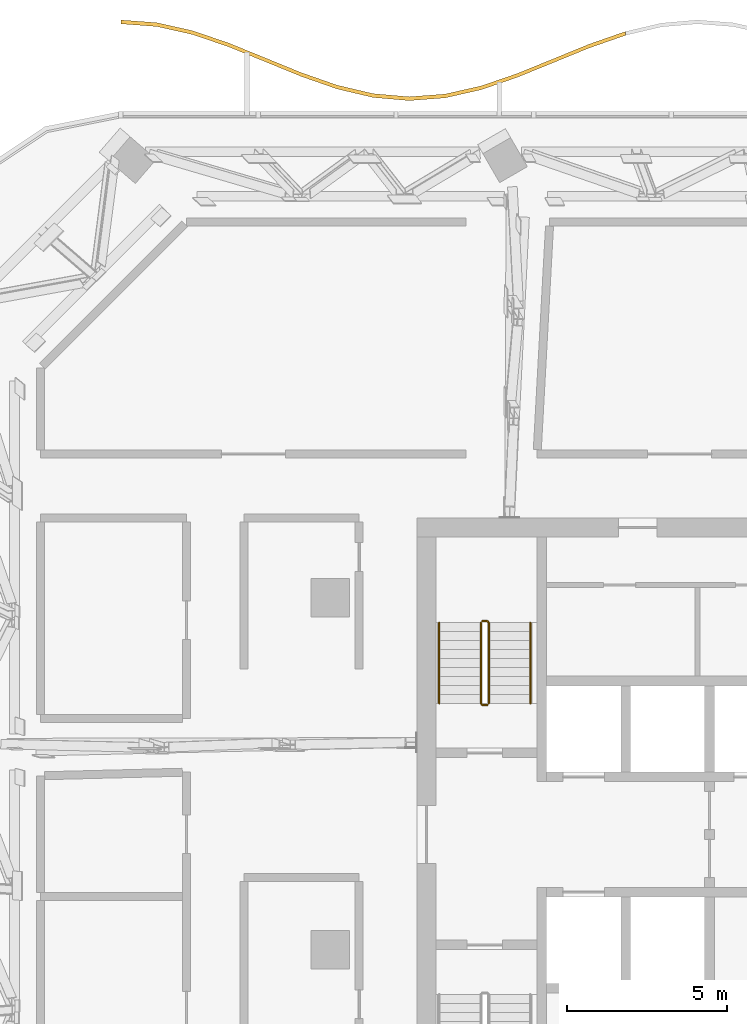
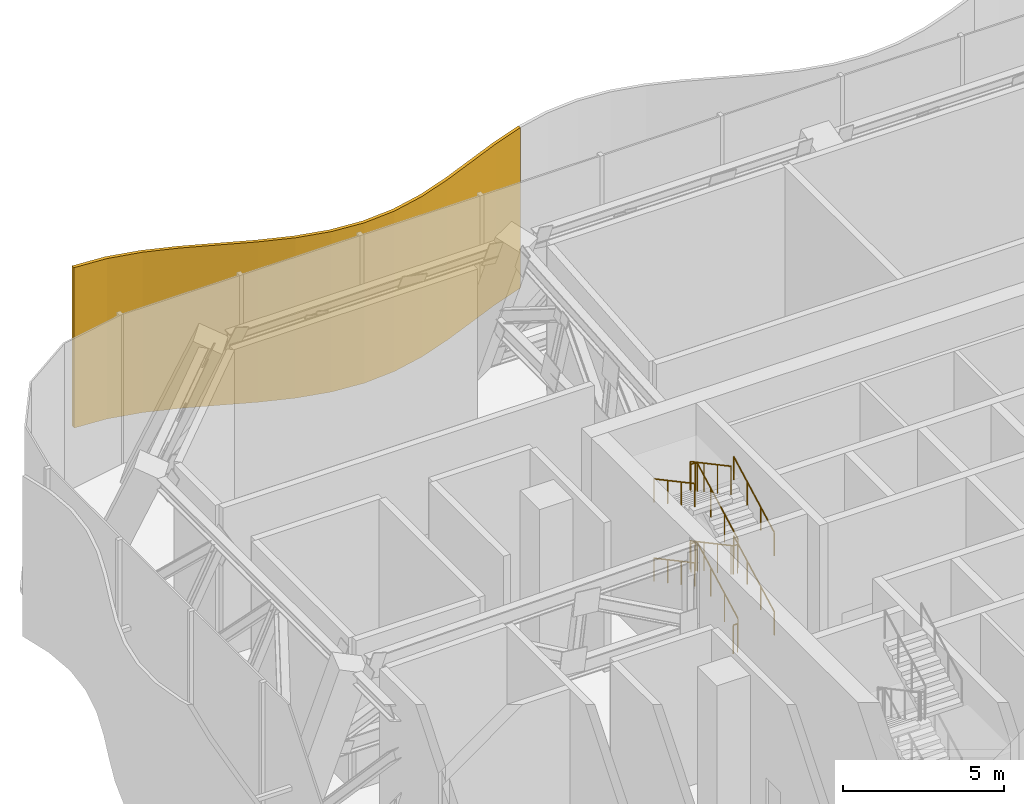
# One storey, part 27 of 29: 9 railings, 1 shading device.
"""IFC4 building model written with IfcOpenShell, lengths in metres."""

from ifc_helpers import new_model, si_unit, direction, frame, origin, origin_2d, place, context, subcontext, project, spatial, polyline, circle, outline, extrude, material, layer, layer_set, type_object, element, save


model = new_model("IFC4")

# Units and contexts
model_context = context("Model", 3, precision=1e-05, world=origin(), true_north=direction((0.0, 1.0)))
body_context = subcontext(model_context, "Body", "Model", "MODEL_VIEW")
ifc_project = project(units=[si_unit("LENGTHUNIT", "METRE"), si_unit("AREAUNIT", "SQUARE_METRE"), si_unit("VOLUMEUNIT", "CUBIC_METRE"), si_unit("PLANEANGLEUNIT", "RADIAN"), si_unit("MASSUNIT", "GRAM", prefix="KILO")], contexts=[model_context])

# Site, building, storey
site_placement = place(None, origin())
site = spatial("IfcSite", under=ifc_project, at=site_placement, CompositionType="ELEMENT")
building_placement = place(site_placement, origin())
building = spatial("IfcBuilding", under=site, at=building_placement, Name="Mopane Tessera Tower", CompositionType="ELEMENT")
storey_placement = place(building_placement, frame((0.0, 0.0, 315.39990234375)))
storey = spatial("IfcBuildingStorey", under=building, at=storey_placement, Name="L69", CompositionType="ELEMENT", Elevation=315.39990234375)

# Railings
ifc_material_1 = material(Name="Powder-coated steel balustrade", Category="steel")
railing_type_1 = type_object("IfcRailingType", Name="Escape stair guard 1100 mm", PredefinedType="GUARDRAIL", material=ifc_material_1)
railing_1_placement = place(storey_placement, frame((-12.14990234375, 7.699951171875, 0.150146484375)))
element("IfcRailing", 1, at=railing_1_placement, inside=storey, type_object=railing_type_1, Name="L69 ST2 stair guard 1", PredefinedType="GUARDRAIL", context=body_context, shape_type="SweptSolid", body=[
    extrude(circle(Radius=0.02392578125, at=origin_2d()), frame((0.0, 0.0, 1.076171875), z_axis=(0.0, 0.88150282143, 0.472178754087), x_axis=(-1.0, 0.0, 0.0)), (0.0, 0.0, 1.0), 2.85888671875),
    extrude(circle(Radius=0.02392578125, at=origin_2d()), frame((0.0, 2.52001953125, 2.42578125), z_axis=(-0.707106781187, 0.707106781187, 0.0), x_axis=(-0.707106781187, -0.707106781187, 0.0)), (0.0, 0.0, 1.0), 0.07080078125),
    extrude(circle(Radius=0.02392578125, at=origin_2d()), frame((-0.050048828125, 2.570068359375, 2.42578125), z_axis=(-1.0, 0.0, 0.0), x_axis=(0.0, -1.0, 0.0)), (0.0, 0.0, 1.0), 0.150146484375),
    extrude(circle(Radius=0.02099609375, at=origin_2d()), origin(), (0.0, 0.0, 1.0), 1.052001953125),
    extrude(circle(Radius=0.02099609375, at=origin_2d()), frame((0.0, 0.840087890625, 0.449951171875)), (0.0, 0.0, 1.0), 1.052001953125),
    extrude(circle(Radius=0.02099609375, at=origin_2d()), frame((0.0, 1.679931640625, 0.89990234375)), (0.0, 0.0, 1.0), 1.052001953125),
    extrude(circle(Radius=0.02099609375, at=origin_2d()), frame((0.0, 2.52001953125, 1.349853515625)), (0.0, 0.0, 1.0), 1.052001953125),
    extrude(circle(Radius=0.02099609375, at=origin_2d()), frame((-0.050048828125, 2.570068359375, 1.349853515625)), (0.0, 0.0, 1.0), 1.052001953125),
    extrude(circle(Radius=0.02099609375, at=origin_2d()), frame((-0.2001953125, 2.570068359375, 1.349853515625)), (0.0, 0.0, 1.0), 1.052001953125),
])
railing_2_placement = place(storey_placement, frame((-12.39990234375, 10.219970703125, 1.650146484375)))
element("IfcRailing", 2, at=railing_2_placement, inside=storey, type_object=railing_type_1, Name="L69 ST2 stair guard 2", PredefinedType="GUARDRAIL", context=body_context, shape_type="SweptSolid", body=[
    extrude(circle(Radius=0.02392578125, at=origin_2d()), frame((0.0, 0.0, 1.076171875), z_axis=(0.0, -0.88150282143, 0.472178754087), x_axis=(1.0, 0.0, 0.0)), (0.0, 0.0, 1.0), 2.85888671875),
    extrude(circle(Radius=0.02392578125, at=origin_2d()), frame((0.0, -2.52001953125, 2.42578125), z_axis=(0.705375805398, -0.708833529934, 0.0), x_axis=(0.708833529934, 0.705375805398, 0.0)), (0.0, 0.0, 1.0), 0.070556640625),
    extrude(circle(Radius=0.02392578125, at=origin_2d()), frame((0.0498046875, -2.570068359375, 2.42578125), z_axis=(1.0, 0.0, 0.0), x_axis=(0.0, 1.0, 0.0)), (0.0, 0.0, 1.0), 0.150146484375),
    extrude(circle(Radius=0.02099609375, at=origin_2d()), origin(), (0.0, 0.0, 1.0), 1.052001953125),
    extrude(circle(Radius=0.02099609375, at=origin_2d()), frame((0.0, -0.840087890625, 0.449951171875)), (0.0, 0.0, 1.0), 1.052001953125),
    extrude(circle(Radius=0.02099609375, at=origin_2d()), frame((0.0, -1.679931640625, 0.89990234375)), (0.0, 0.0, 1.0), 1.052001953125),
    extrude(circle(Radius=0.02099609375, at=origin_2d()), frame((0.0, -2.52001953125, 1.349853515625)), (0.0, 0.0, 1.0), 1.052001953125),
    extrude(circle(Radius=0.02099609375, at=origin_2d()), frame((0.0498046875, -2.570068359375, 1.349853515625)), (0.0, 0.0, 1.0), 1.052001953125),
    extrude(circle(Radius=0.02099609375, at=origin_2d()), frame((0.199951171875, -2.570068359375, 1.349853515625)), (0.0, 0.0, 1.0), 1.052001953125),
])
railing_3_placement = place(storey_placement, frame((-12.14990234375, 7.699951171875, 3.150146484375)))
element("IfcRailing", 3, at=railing_3_placement, inside=storey, type_object=railing_type_1, Name="L69 ST2 stair guard 3", PredefinedType="GUARDRAIL", context=body_context, shape_type="SweptSolid", body=[
    extrude(circle(Radius=0.02392578125, at=origin_2d()), frame((0.0, 0.0, 1.076171875), z_axis=(0.0, 0.88150282143, 0.472178754087), x_axis=(-1.0, 0.0, 0.0)), (0.0, 0.0, 1.0), 2.85888671875),
    extrude(circle(Radius=0.02392578125, at=origin_2d()), frame((0.0, 2.52001953125, 2.42578125), z_axis=(-0.707106781187, 0.707106781187, 0.0), x_axis=(-0.707106781187, -0.707106781187, 0.0)), (0.0, 0.0, 1.0), 0.07080078125),
    extrude(circle(Radius=0.02392578125, at=origin_2d()), frame((-0.050048828125, 2.570068359375, 2.42578125), z_axis=(-1.0, 0.0, 0.0), x_axis=(0.0, -1.0, 0.0)), (0.0, 0.0, 1.0), 0.150146484375),
    extrude(circle(Radius=0.02099609375, at=origin_2d()), origin(), (0.0, 0.0, 1.0), 1.052001953125),
    extrude(circle(Radius=0.02099609375, at=origin_2d()), frame((0.0, 0.840087890625, 0.449951171875)), (0.0, 0.0, 1.0), 1.052001953125),
    extrude(circle(Radius=0.02099609375, at=origin_2d()), frame((0.0, 1.679931640625, 0.89990234375)), (0.0, 0.0, 1.0), 1.052001953125),
    extrude(circle(Radius=0.02099609375, at=origin_2d()), frame((0.0, 2.52001953125, 1.349853515625)), (0.0, 0.0, 1.0), 1.052001953125),
    extrude(circle(Radius=0.02099609375, at=origin_2d()), frame((-0.050048828125, 2.570068359375, 1.349853515625)), (0.0, 0.0, 1.0), 1.052001953125),
    extrude(circle(Radius=0.02099609375, at=origin_2d()), frame((-0.2001953125, 2.570068359375, 1.349853515625)), (0.0, 0.0, 1.0), 1.052001953125),
])
railing_4_placement = place(storey_placement, frame((-12.39990234375, 10.219970703125, 4.650146484375)))
element("IfcRailing", 4, at=railing_4_placement, inside=storey, type_object=railing_type_1, Name="L69 ST2 stair guard 4", PredefinedType="GUARDRAIL", context=body_context, shape_type="SweptSolid", body=[
    extrude(circle(Radius=0.02392578125, at=origin_2d()), frame((0.0, 0.0, 1.076171875), z_axis=(0.0, -0.88150282143, 0.472178754087), x_axis=(1.0, 0.0, 0.0)), (0.0, 0.0, 1.0), 2.85888671875),
    extrude(circle(Radius=0.02099609375, at=origin_2d()), origin(), (0.0, 0.0, 1.0), 1.052001953125),
    extrude(circle(Radius=0.02099609375, at=origin_2d()), frame((0.0, -0.840087890625, 0.449951171875)), (0.0, 0.0, 1.0), 1.052001953125),
    extrude(circle(Radius=0.02099609375, at=origin_2d()), frame((0.0, -1.679931640625, 0.89990234375)), (0.0, 0.0, 1.0), 1.052001953125),
    extrude(circle(Radius=0.02099609375, at=origin_2d()), frame((0.0, -2.52001953125, 1.349853515625)), (0.0, 0.0, 1.0), 1.052001953125),
])
railing_5_placement = place(storey_placement, frame((-12.199951171875, 7.64990234375, 0.0)))
element("IfcRailing", 5, at=railing_5_placement, inside=storey, type_object=railing_type_1, Name="L69 ST2 stair guard 5", PredefinedType="GUARDRAIL", context=body_context, shape_type="SweptSolid", body=[
    extrude(circle(Radius=0.02392578125, at=origin_2d()), frame((0.0, 0.0, 1.076171875), z_axis=(-1.0, 0.0, 0.0), x_axis=(0.0, -1.0, 0.0)), (0.0, 0.0, 1.0), 0.150146484375),
    extrude(circle(Radius=0.02099609375, at=origin_2d()), origin(), (0.0, 0.0, 1.0), 1.052001953125),
    extrude(circle(Radius=0.02099609375, at=origin_2d()), frame((-0.150146484375, 0.0, 0.0)), (0.0, 0.0, 1.0), 1.052001953125),
])
ifc_material_2 = material(Name="Powder-coated steel balustrade", Category="steel")
railing_type_2 = type_object("IfcRailingType", Name="Escape stair handrail 900 mm", PredefinedType="HANDRAIL", material=ifc_material_2)
railing_6_placement = place(storey_placement, frame((-10.85009765625, 7.699951171875, 0.150146484375)))
element("IfcRailing", 6, at=railing_6_placement, inside=storey, type_object=railing_type_2, Name="L69 ST2 stair handrail 1", PredefinedType="HANDRAIL", context=body_context, shape_type="SweptSolid", body=[
    extrude(circle(Radius=0.02392578125, at=origin_2d()), frame((0.0, 0.0, 0.8759765625), z_axis=(0.0, 0.88150282143, 0.472178754087), x_axis=(-1.0, 0.0, 0.0)), (0.0, 0.0, 1.0), 2.85888671875),
    extrude(circle(Radius=0.02099609375, at=origin_2d()), origin(), (0.0, 0.0, 1.0), 0.851806640625),
    extrude(circle(Radius=0.02099609375, at=origin_2d()), frame((0.0, 0.840087890625, 0.449951171875)), (0.0, 0.0, 1.0), 0.851806640625),
    extrude(circle(Radius=0.02099609375, at=origin_2d()), frame((0.0, 1.679931640625, 0.89990234375)), (0.0, 0.0, 1.0), 0.851806640625),
    extrude(circle(Radius=0.02099609375, at=origin_2d()), frame((0.0, 2.52001953125, 1.349853515625)), (0.0, 0.0, 1.0), 0.851806640625),
])
railing_7_placement = place(storey_placement, frame((-13.699951171875, 10.219970703125, 1.650146484375)))
element("IfcRailing", 7, at=railing_7_placement, inside=storey, type_object=railing_type_2, Name="L69 ST2 stair handrail 2", PredefinedType="HANDRAIL", context=body_context, shape_type="SweptSolid", body=[
    extrude(circle(Radius=0.02392578125, at=origin_2d()), frame((0.0, 0.0, 0.8759765625), z_axis=(0.0, -0.88150282143, 0.472178754087), x_axis=(1.0, 0.0, 0.0)), (0.0, 0.0, 1.0), 2.85888671875),
    extrude(circle(Radius=0.02099609375, at=origin_2d()), origin(), (0.0, 0.0, 1.0), 0.851806640625),
    extrude(circle(Radius=0.02099609375, at=origin_2d()), frame((0.0, -0.840087890625, 0.449951171875)), (0.0, 0.0, 1.0), 0.851806640625),
    extrude(circle(Radius=0.02099609375, at=origin_2d()), frame((0.0, -1.679931640625, 0.89990234375)), (0.0, 0.0, 1.0), 0.851806640625),
    extrude(circle(Radius=0.02099609375, at=origin_2d()), frame((0.0, -2.52001953125, 1.349853515625)), (0.0, 0.0, 1.0), 0.851806640625),
])
railing_8_placement = place(storey_placement, frame((-10.85009765625, 7.699951171875, 3.150146484375)))
element("IfcRailing", 8, at=railing_8_placement, inside=storey, type_object=railing_type_2, Name="L69 ST2 stair handrail 3", PredefinedType="HANDRAIL", context=body_context, shape_type="SweptSolid", body=[
    extrude(circle(Radius=0.02392578125, at=origin_2d()), frame((0.0, 0.0, 0.8759765625), z_axis=(0.0, 0.88150282143, 0.472178754087), x_axis=(-1.0, 0.0, 0.0)), (0.0, 0.0, 1.0), 2.85888671875),
    extrude(circle(Radius=0.02099609375, at=origin_2d()), origin(), (0.0, 0.0, 1.0), 0.851806640625),
    extrude(circle(Radius=0.02099609375, at=origin_2d()), frame((0.0, 0.840087890625, 0.449951171875)), (0.0, 0.0, 1.0), 0.851806640625),
    extrude(circle(Radius=0.02099609375, at=origin_2d()), frame((0.0, 1.679931640625, 0.89990234375)), (0.0, 0.0, 1.0), 0.851806640625),
    extrude(circle(Radius=0.02099609375, at=origin_2d()), frame((0.0, 2.52001953125, 1.349853515625)), (0.0, 0.0, 1.0), 0.851806640625),
])
railing_9_placement = place(storey_placement, frame((-13.699951171875, 10.219970703125, 4.650146484375)))
element("IfcRailing", 9, at=railing_9_placement, inside=storey, type_object=railing_type_2, Name="L69 ST2 stair handrail 4", PredefinedType="HANDRAIL", context=body_context, shape_type="SweptSolid", body=[
    extrude(circle(Radius=0.02392578125, at=origin_2d()), frame((0.0, 0.0, 0.8759765625), z_axis=(0.0, -0.88150282143, 0.472178754087), x_axis=(1.0, 0.0, 0.0)), (0.0, 0.0, 1.0), 2.85888671875),
    extrude(circle(Radius=0.02099609375, at=origin_2d()), origin(), (0.0, 0.0, 1.0), 0.851806640625),
    extrude(circle(Radius=0.02099609375, at=origin_2d()), frame((0.0, -0.840087890625, 0.449951171875)), (0.0, 0.0, 1.0), 0.851806640625),
    extrude(circle(Radius=0.02099609375, at=origin_2d()), frame((0.0, -1.679931640625, 0.89990234375)), (0.0, 0.0, 1.0), 0.851806640625),
    extrude(circle(Radius=0.02099609375, at=origin_2d()), frame((0.0, -2.52001953125, 1.349853515625)), (0.0, 0.0, 1.0), 0.851806640625),
])

# Shading device
ifc_material_3 = material(Name="Anodised aluminium louvre blades", Category="aluminium")
ifc_layer = layer(ifc_material_3, 0.1201171875)
ifc_layer_set = layer_set([ifc_layer], Name="Anodised aluminium louvre blades")
shading_device_type = type_object("IfcShadingDeviceType", Name="Wave louvre screen", PredefinedType="JALOUSIE", material=ifc_layer_set)
shading_device_placement = place(storey_placement, frame((0.0, 0.0, -0.419921875)))
element("IfcShadingDevice", 10, at=shading_device_placement, inside=storey, type_object=shading_device_type, Name="e:lv:L69:N:2", PredefinedType="JALOUSIE", context=body_context, shape_type="SweptSolid", body=[
    extrude(outline(polyline([(-7.88330078125, 28.57861328125), (-9.009521484375, 28.185791015625), (-10.1357421875, 27.72509765625), (-11.261962890625, 27.2666015625), (-12.38818359375, 26.88037109375), (-13.514404296875, 26.625244140625), (-14.640380859375, 26.5400390625), (-15.7666015625, 26.63818359375), (-16.892822265625, 26.904296875), (-18.01904296875, 27.2978515625), (-19.145263671875, 27.759033203125), (-20.271484375, 28.217041015625), (-21.397705078125, 28.6025390625), (-22.52392578125, 28.856201171875), (-23.64990234375, 28.939697265625), (-23.64990234375, 29.059814453125), (-22.52392578125, 28.976318359375), (-21.397705078125, 28.722412109375), (-20.271484375, 28.337158203125), (-19.145263671875, 27.87890625), (-18.01904296875, 27.41796875), (-16.892822265625, 27.024169921875), (-15.7666015625, 26.758056640625), (-14.640380859375, 26.66015625), (-13.514404296875, 26.7451171875), (-12.38818359375, 27.000244140625), (-11.261962890625, 27.386474609375), (-10.1357421875, 27.844970703125), (-9.009521484375, 28.305908203125), (-7.88330078125, 28.698486328125), (-7.88330078125, 28.57861328125)])), origin(), (0.0, 0.0, 1.0), 6.070068359375),
])

save(model, "model.ifc")
